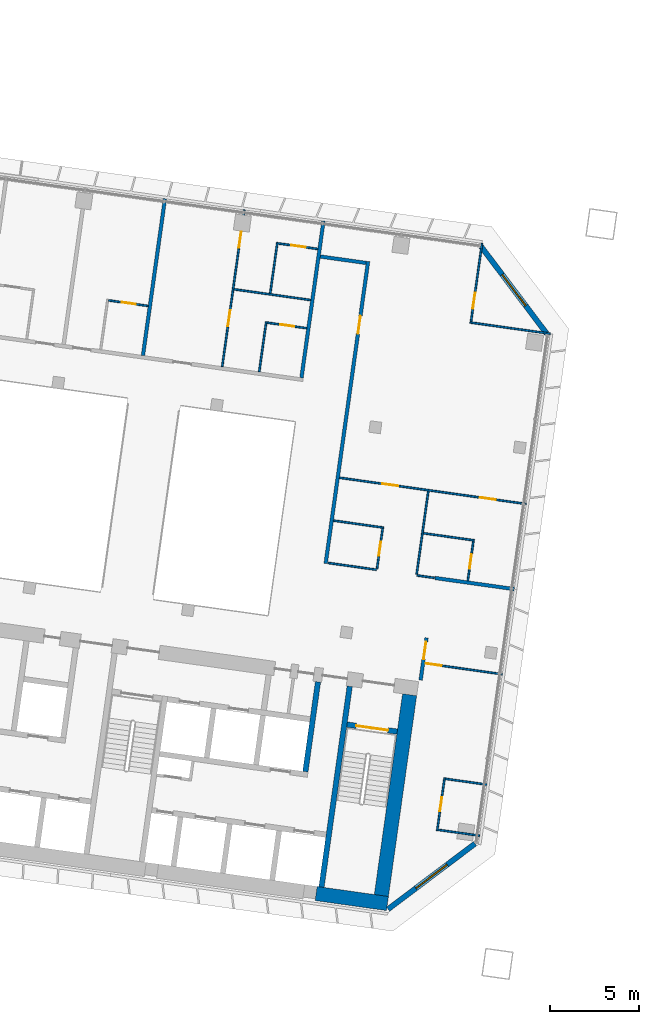
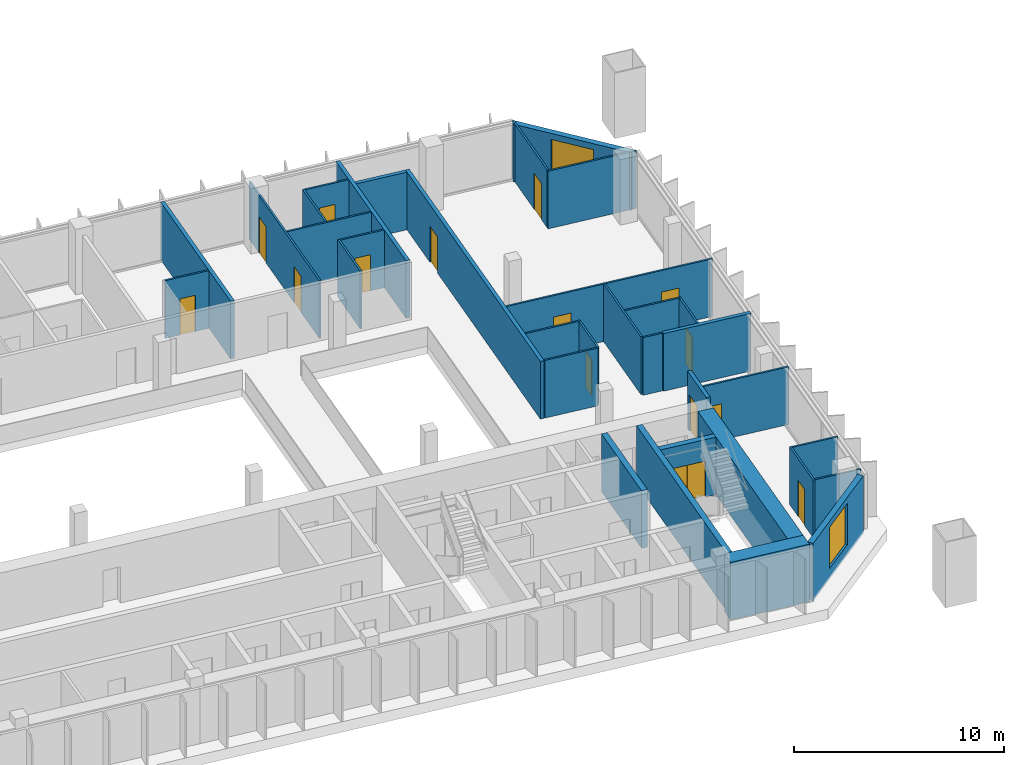
# One storey, part 17 of 26: 34 walls, 15 doors, 2 windows, 17 openings.
"""IFC4 building model written with IfcOpenShell, lengths in metres."""

from ifc_helpers import new_model, si_unit, direction, frame, frame_2d, origin, place, context, subcontext, project, spatial, rectangle, extrude, material, layer, layer_set, type_object, element, fill, save


model = new_model("IFC4")

# Units and contexts
model_context = context("Model", 3, precision=1e-05, world=origin(), true_north=direction((0.0, 1.0)))
body_context = subcontext(model_context, "Body", "Model", "MODEL_VIEW")
ifc_project = project(units=[si_unit("LENGTHUNIT", "METRE"), si_unit("AREAUNIT", "SQUARE_METRE"), si_unit("VOLUMEUNIT", "CUBIC_METRE"), si_unit("PLANEANGLEUNIT", "RADIAN"), si_unit("MASSUNIT", "GRAM", prefix="KILO")], contexts=[model_context])

# Site, building, storey
site_placement = place(None, origin())
site = spatial("IfcSite", under=ifc_project, at=site_placement, CompositionType="ELEMENT")
building_placement = place(site_placement, origin())
building = spatial("IfcBuilding", under=site, at=building_placement, Name="Mirante Cascada Hotel Towers", CompositionType="ELEMENT")
storey_placement = place(building_placement, frame((0.0, 0.0, 106.3)))
storey = spatial("IfcBuildingStorey", under=building, at=storey_placement, Name="L23", CompositionType="ELEMENT", Elevation=106.3)

# Walls
ifc_material_1 = material(Name="Fire-rated plasterboard on metal studs")
ifc_layer_1 = layer(ifc_material_1, 0.2)
ifc_layer_set_1 = layer_set([ifc_layer_1], Name="Compartment wall 200 EI 120")
wall_type_1 = type_object("IfcWallType", Name="Compartment wall 200 EI 120", PredefinedType="PARTITIONING", material=ifc_layer_set_1)
wall_1_placement = place(storey_placement, frame((-30.0, -2.0, 0.0), z_axis=(0.0, 0.0, 1.0), x_axis=(-0.9902674, 0.1391779, 0.0)))
element("IfcWall", 1, at=wall_1_placement, inside=storey, type_object=wall_type_1, Name="Wall 1-L23-08", PredefinedType="PARTITIONING", context=body_context, shape_type="SweptSolid", body=[
    extrude(rectangle(XDim=4.5, YDim=0.2, at=frame_2d((2.25, 0.0))), origin(), (0.0, 0.0, 1.0), 3.35),
])
wall_2_placement = place(storey_placement, frame((-38.329, 16.3376, 0.0), z_axis=(0.0, 0.0, 1.0), x_axis=(-0.9902647, 0.1391971, 0.0)))
element("IfcWall", 2, at=wall_2_placement, inside=storey, type_object=wall_type_1, Name="Wall 1-L23-28", PredefinedType="PARTITIONING", context=body_context, shape_type="SweptSolid", body=[
    extrude(rectangle(XDim=2.5999, YDim=0.2, at=frame_2d((1.3, 0.0))), origin(), (0.0, 0.0, 1.0), 3.35),
])

# Wall, opening, door
wall_3_placement = place(storey_placement, frame((-35.2634, -7.1173, 0.0), z_axis=(0.0, 0.0, 1.0), x_axis=(0.1391635, 0.9902694, 0.0)))
wall_3 = element("IfcWall", 3, at=wall_3_placement, inside=storey, type_object=wall_type_1, Name="Wall 1-L23-34", PredefinedType="PARTITIONING", context=body_context, shape_type="SweptSolid", body=[
    extrude(rectangle(XDim=2.4001, YDim=0.2, at=frame_2d((1.2, 0.0))), origin(), (0.0, 0.0, 1.0), 3.35),
])
opening_1_placement = place(wall_3_placement, frame((1.1833, 0.0, 0.0)))
opening_1 = element("IfcOpeningElement", 4, at=opening_1_placement, cuts=wall_3, Name="Opening D1-L23-28", PredefinedType="OPENING", context=body_context, shape_type="SweptSolid", body=[
    extrude(rectangle(XDim=1.0, YDim=2.1, at=frame_2d((0.5, 1.05))), frame((0.0, 0.1, 0.0), z_axis=(0.0, -1.0, 0.0), x_axis=(1.0, 0.0, 0.0)), (0.0, 0.0, 1.0), 0.2),
])
ifc_material_2 = material(Name="Fire-rated timber door leaf", Category="wood")
door_type_1 = type_object("IfcDoorType", Name="Entrance door DG1 1000x2100 EI 60", OperationType="SINGLE_SWING_LEFT", PredefinedType="DOOR", material=ifc_material_2)
door_1_placement = place(opening_1_placement, frame((1.0, 0.0, 0.0), z_axis=(0.0, 0.0, 1.0), x_axis=(-1.0, 0.0, 0.0)))
door_1 = element("IfcDoor", 5, at=door_1_placement, inside=storey, type_object=door_type_1, Name="Door D1-L23-28", OperationType="SINGLE_SWING_RIGHT", OverallHeight=2.1, OverallWidth=1.0, PredefinedType="DOOR", context=body_context, shape_type="SweptSolid", body=[
    extrude(rectangle(XDim=1.0, YDim=2.1, at=frame_2d((0.5, 1.05))), frame((0.0, 0.025, 0.0), z_axis=(0.0, -1.0, 0.0), x_axis=(1.0, 0.0, 0.0)), (0.0, 0.0, 1.0), 0.05),
])
fill(opening_1, door_1)

wall_4_placement = place(storey_placement, frame((-40.6028, -0.5604, 0.0), z_axis=(0.0, 0.0, 1.0), x_axis=(0.139172, 0.9902682, 0.0)))
wall_4 = element("IfcWall", 6, at=wall_4_placement, inside=storey, type_object=wall_type_1, Name="Wall 1-L23-38", PredefinedType="PARTITIONING", context=body_context, shape_type="SweptSolid", body=[
    extrude(rectangle(XDim=17.15, YDim=0.2, at=frame_2d((8.575, 0.0))), origin(), (0.0, 0.0, 1.0), 3.35),
])
opening_2_placement = place(wall_4_placement, frame((13.05, 0.0, 0.0)))
opening_2 = element("IfcOpeningElement", 7, at=opening_2_placement, cuts=wall_4, Name="Opening D1-L23-31", PredefinedType="OPENING", context=body_context, shape_type="SweptSolid", body=[
    extrude(rectangle(XDim=1.0, YDim=2.1, at=frame_2d((0.5, 1.05))), frame((0.0, 0.1, 0.0), z_axis=(0.0, -1.0, 0.0), x_axis=(1.0, 0.0, 0.0)), (0.0, 0.0, 1.0), 0.2),
])
door_2_placement = place(opening_2_placement, frame((1.0, 0.0, 0.0), z_axis=(0.0, 0.0, 1.0), x_axis=(-1.0, 0.0, 0.0)))
door_2 = element("IfcDoor", 8, at=door_2_placement, inside=storey, type_object=door_type_1, Name="Door D1-L23-31", OperationType="SINGLE_SWING_RIGHT", OverallHeight=2.1, OverallWidth=1.0, PredefinedType="DOOR", context=body_context, shape_type="SweptSolid", body=[
    extrude(rectangle(XDim=1.0, YDim=2.1, at=frame_2d((0.5, 1.05))), frame((0.0, 0.025, 0.0), z_axis=(0.0, -1.0, 0.0), x_axis=(1.0, 0.0, 0.0)), (0.0, 0.0, 1.0), 0.05),
])
fill(opening_2, door_2)

# Walls
for number, where, z_axis, x_axis, name in (
    (9, (-40.7243, 18.6939, 0.0), (0.0, 0.0, 1.0), (-0.1391794, -0.9902672, 0.0), "Wall 1-L23-39"),
    (10, (-49.6367, 19.9465, 0.0), (0.0, 0.0, 1.0), (-0.1391794, -0.9902672, 0.0), "Wall 1-L23-43"),
):
    element("IfcWall", number, at=place(storey_placement, frame(where, z_axis=z_axis, x_axis=x_axis)), inside=storey, type_object=wall_type_1, Name=name, PredefinedType="PARTITIONING", context=body_context, shape_type="SweptSolid", body=[
        extrude(rectangle(XDim=8.9, YDim=0.2, at=frame_2d((4.45, 0.0))), origin(), (0.0, 0.0, 1.0), 3.35),
    ])
ifc_material_3 = material(Name="Plasterboard on metal studs")
ifc_layer_2 = layer(ifc_material_3, 0.1)
ifc_layer_set_2 = layer_set([ifc_layer_2], Name="Partition 100")
wall_type_2 = type_object("IfcWallType", Name="Partition 100", PredefinedType="PARTITIONING", material=ifc_layer_set_2)
for number, where, z_axis, x_axis, name in (
    (11, (-31.9484, -15.8638, 0.0), (0.0, 0.0, 1.0), (-0.9902661, 0.139187, 0.0), "Wall 1-L23-02"),
    (12, (-33.872, -12.6649, 0.0), (0.0, 0.0, 1.0), (0.9902661, -0.139187, 0.0), "Wall 1-L23-03"),
):
    element("IfcWall", number, at=place(storey_placement, frame(where, z_axis=z_axis, x_axis=x_axis)), inside=storey, type_object=wall_type_2, Name=name, PredefinedType="PARTITIONING", context=body_context, shape_type="SweptSolid", body=[
        extrude(rectangle(XDim=2.3501, YDim=0.1, at=frame_2d((1.175, 0.0))), origin(), (0.0, 0.0, 1.0), 3.35),
    ])

# Wall, opening, door
wall_5_placement = place(storey_placement, frame((-30.6727, -6.7863, 0.0), z_axis=(0.0, 0.0, 1.0), x_axis=(-0.9902665, 0.1391841, 0.0)))
wall_5 = element("IfcWall", 13, at=wall_5_placement, inside=storey, type_object=wall_type_2, Name="Wall 1-L23-04", PredefinedType="PARTITIONING", context=body_context, shape_type="SweptSolid", body=[
    extrude(rectangle(XDim=4.3999, YDim=0.1, at=frame_2d((2.2, 0.0))), origin(), (0.0, 0.0, 1.0), 3.35),
])
opening_3_placement = place(wall_5_placement, frame((3.45, 0.0, 0.0)))
opening_3 = element("IfcOpeningElement", 14, at=opening_3_placement, cuts=wall_5, Name="Opening D1-L23-02", PredefinedType="OPENING", context=body_context, shape_type="SweptSolid", body=[
    extrude(rectangle(XDim=0.9, YDim=2.1, at=frame_2d((0.45, 1.05))), frame((0.0, 0.05, 0.0), z_axis=(0.0, -1.0, 0.0), x_axis=(1.0, 0.0, 0.0)), (0.0, 0.0, 1.0), 0.1),
])
ifc_material_4 = material(Name="Timber door leaf", Category="wood")
door_type_2 = type_object("IfcDoorType", Name="Room door DG3 900x2100", OperationType="SINGLE_SWING_LEFT", PredefinedType="DOOR", material=ifc_material_4)
door_3_placement = place(opening_3_placement, origin())
door_3 = element("IfcDoor", 15, at=door_3_placement, inside=storey, type_object=door_type_2, Name="Door D1-L23-02", OperationType="SINGLE_SWING_LEFT", OverallHeight=2.1, OverallWidth=0.9, PredefinedType="DOOR", context=body_context, shape_type="SweptSolid", body=[
    extrude(rectangle(XDim=0.9, YDim=2.1, at=frame_2d((0.45, 1.05))), frame((0.0, 0.025, 0.0), z_axis=(0.0, -1.0, 0.0), x_axis=(1.0, 0.0, 0.0)), (0.0, 0.0, 1.0), 0.05),
])
fill(opening_3, door_3)

# Walls
wall_6_placement = place(storey_placement, frame((-35.4663, -1.2318, 0.0), z_axis=(0.0, 0.0, 1.0), x_axis=(0.9902801, -0.1390877, 0.0)))
element("IfcWall", 16, at=wall_6_placement, inside=storey, type_object=wall_type_2, Name="Wall 1-L23-09", PredefinedType="PARTITIONING", context=body_context, shape_type="SweptSolid", body=[
    extrude(rectangle(XDim=0.99, YDim=0.1, at=frame_2d((0.495, 0.0))), origin(), (0.0, 0.0, 1.0), 3.35),
])
wall_7_placement = place(storey_placement, frame((-37.7538, -0.9103, 0.0), z_axis=(0.0, 0.0, 1.0), x_axis=(-0.9902645, 0.1391984, 0.0)))
element("IfcWall", 17, at=wall_7_placement, inside=storey, type_object=wall_type_2, Name="Wall 1-L23-10", PredefinedType="PARTITIONING", context=body_context, shape_type="SweptSolid", body=[
    extrude(rectangle(XDim=2.74, YDim=0.1, at=frame_2d((1.37, 0.0))), origin(), (0.0, 0.0, 1.0), 3.35),
])
wall_8_placement = place(storey_placement, frame((-32.2407, 0.7385, 0.0), z_axis=(0.0, 0.0, 1.0), x_axis=(-0.9902683, 0.1391714, 0.0)))
element("IfcWall", 18, at=wall_8_placement, inside=storey, type_object=wall_type_2, Name="Wall 1-L23-12", PredefinedType="PARTITIONING", context=body_context, shape_type="SweptSolid", body=[
    extrude(rectangle(XDim=2.9, YDim=0.1, at=frame_2d((1.45, 0.0))), origin(), (0.0, 0.0, 1.0), 3.35),
])
wall_9_placement = place(storey_placement, frame((-40.1628, 1.8519, 0.0), z_axis=(0.0, 0.0, 1.0), x_axis=(0.9902649, -0.1391957, 0.0)))
element("IfcWall", 19, at=wall_9_placement, inside=storey, type_object=wall_type_2, Name="Wall 1-L23-13", PredefinedType="PARTITIONING", context=body_context, shape_type="SweptSolid", body=[
    extrude(rectangle(XDim=2.8499, YDim=0.1, at=frame_2d((1.425, 0.0))), origin(), (0.0, 0.0, 1.0), 3.35),
])

# Wall, openings, doors
wall_10_placement = place(storey_placement, frame((-29.3273, 2.7863, 0.0), z_axis=(0.0, 0.0, 1.0), x_axis=(-0.9902686, 0.1391691, 0.0)))
wall_10 = element("IfcWall", 20, at=wall_10_placement, inside=storey, type_object=wall_type_2, Name="Wall 1-L23-16", PredefinedType="PARTITIONING", context=body_context, shape_type="SweptSolid", body=[
    extrude(rectangle(XDim=10.6001, YDim=0.1, at=frame_2d((5.3, 0.0))), origin(), (0.0, 0.0, 1.0), 3.35),
])
opening_4_placement = place(wall_10_placement, frame((1.725, 0.0, 0.0)))
opening_4 = element("IfcOpeningElement", 21, at=opening_4_placement, cuts=wall_10, Name="Opening D1-L23-05", PredefinedType="OPENING", context=body_context, shape_type="SweptSolid", body=[
    extrude(rectangle(XDim=0.9, YDim=2.1, at=frame_2d((0.45, 1.05))), frame((0.0, 0.05, 0.0), z_axis=(0.0, -1.0, 0.0), x_axis=(1.0, 0.0, 0.0)), (0.0, 0.0, 1.0), 0.1),
])
opening_5_placement = place(wall_10_placement, frame((7.275, 0.0, 0.0)))
opening_5 = element("IfcOpeningElement", 22, at=opening_5_placement, cuts=wall_10, Name="Opening D1-L23-06", PredefinedType="OPENING", context=body_context, shape_type="SweptSolid", body=[
    extrude(rectangle(XDim=0.9, YDim=2.1, at=frame_2d((0.45, 1.05))), frame((0.0, 0.05, 0.0), z_axis=(0.0, -1.0, 0.0), x_axis=(1.0, 0.0, 0.0)), (0.0, 0.0, 1.0), 0.1),
])
door_4_placement = place(opening_4_placement, frame((0.9, 0.0, 0.0), z_axis=(0.0, 0.0, 1.0), x_axis=(-1.0, 0.0, 0.0)))
door_4 = element("IfcDoor", 23, at=door_4_placement, inside=storey, type_object=door_type_2, Name="Door D1-L23-05", OperationType="SINGLE_SWING_RIGHT", OverallHeight=2.1, OverallWidth=0.9, PredefinedType="DOOR", context=body_context, shape_type="SweptSolid", body=[
    extrude(rectangle(XDim=0.9, YDim=2.1, at=frame_2d((0.45, 1.05))), frame((0.0, 0.025, 0.0), z_axis=(0.0, -1.0, 0.0), x_axis=(1.0, 0.0, 0.0)), (0.0, 0.0, 1.0), 0.05),
])
fill(opening_4, door_4)
door_5_placement = place(opening_5_placement, frame((0.9, 0.0, 0.0), z_axis=(0.0, 0.0, 1.0), x_axis=(-1.0, 0.0, 0.0)))
door_5 = element("IfcDoor", 24, at=door_5_placement, inside=storey, type_object=door_type_2, Name="Door D1-L23-06", OperationType="SINGLE_SWING_RIGHT", OverallHeight=2.1, OverallWidth=0.9, PredefinedType="DOOR", context=body_context, shape_type="SweptSolid", body=[
    extrude(rectangle(XDim=0.9, YDim=2.1, at=frame_2d((0.45, 1.05))), frame((0.0, 0.025, 0.0), z_axis=(0.0, -1.0, 0.0), x_axis=(1.0, 0.0, 0.0)), (0.0, 0.0, 1.0), 0.05),
])
fill(opening_5, door_5)

# Wall, opening, door
wall_11_placement = place(storey_placement, frame((-43.9004, 12.9804, 0.0), z_axis=(0.0, 0.0, 1.0), x_axis=(0.9902643, -0.1391997, 0.0)))
wall_11 = element("IfcWall", 25, at=wall_11_placement, inside=storey, type_object=wall_type_2, Name="Wall 1-L23-19", PredefinedType="PARTITIONING", context=body_context, shape_type="SweptSolid", body=[
    extrude(rectangle(XDim=2.25, YDim=0.1, at=frame_2d((1.125, 0.0))), origin(), (0.0, 0.0, 1.0), 3.35),
])
opening_6_placement = place(wall_11_placement, frame((0.75, 0.0, 0.0)))
opening_6 = element("IfcOpeningElement", 26, at=opening_6_placement, cuts=wall_11, Name="Opening D1-L23-16", PredefinedType="OPENING", context=body_context, shape_type="SweptSolid", body=[
    extrude(rectangle(XDim=0.8, YDim=2.1, at=frame_2d((0.4, 1.05))), frame((0.0, 0.05, 0.0), z_axis=(0.0, -1.0, 0.0), x_axis=(1.0, 0.0, 0.0)), (0.0, 0.0, 1.0), 0.1),
])
ifc_material_5 = material(Name="Timber door leaf", Category="wood")
door_type_3 = type_object("IfcDoorType", Name="Bathroom door DG4 800x2100", OperationType="SINGLE_SWING_LEFT", PredefinedType="DOOR", material=ifc_material_5)
door_6_placement = place(opening_6_placement, frame((0.8, 0.0, 0.0), z_axis=(0.0, 0.0, 1.0), x_axis=(-1.0, 0.0, 0.0)))
door_6 = element("IfcDoor", 27, at=door_6_placement, inside=storey, type_object=door_type_3, Name="Door D1-L23-16", OperationType="SINGLE_SWING_RIGHT", OverallHeight=2.1, OverallWidth=0.8, PredefinedType="DOOR", context=body_context, shape_type="SweptSolid", body=[
    extrude(rectangle(XDim=0.8, YDim=2.1, at=frame_2d((0.4, 1.05))), frame((0.0, 0.025, 0.0), z_axis=(0.0, -1.0, 0.0), x_axis=(1.0, 0.0, 0.0)), (0.0, 0.0, 1.0), 0.05),
])
fill(opening_6, door_6)

wall_12_placement = place(storey_placement, frame((-50.5847, 13.9198, 0.0), z_axis=(0.0, 0.0, 1.0), x_axis=(-0.9902705, 0.1391561, 0.0)))
wall_12 = element("IfcWall", 28, at=wall_12_placement, inside=storey, type_object=wall_type_2, Name="Wall 1-L23-20", PredefinedType="PARTITIONING", context=body_context, shape_type="SweptSolid", body=[
    extrude(rectangle(XDim=2.25, YDim=0.1, at=frame_2d((1.125, 0.0))), origin(), (0.0, 0.0, 1.0), 3.35),
])
opening_7_placement = place(wall_12_placement, frame((0.7, 0.0, 0.0)))
opening_7 = element("IfcOpeningElement", 29, at=opening_7_placement, cuts=wall_12, Name="Opening D1-L23-17", PredefinedType="OPENING", context=body_context, shape_type="SweptSolid", body=[
    extrude(rectangle(XDim=0.8, YDim=2.1, at=frame_2d((0.4, 1.05))), frame((0.0, 0.05, 0.0), z_axis=(0.0, -1.0, 0.0), x_axis=(1.0, 0.0, 0.0)), (0.0, 0.0, 1.0), 0.1),
])
door_7_placement = place(opening_7_placement, frame((0.8, 0.0, 0.0), z_axis=(0.0, 0.0, 1.0), x_axis=(-1.0, 0.0, 0.0)))
door_7 = element("IfcDoor", 30, at=door_7_placement, inside=storey, type_object=door_type_3, Name="Door D1-L23-17", OperationType="SINGLE_SWING_RIGHT", OverallHeight=2.1, OverallWidth=0.8, PredefinedType="DOOR", context=body_context, shape_type="SweptSolid", body=[
    extrude(rectangle(XDim=0.8, YDim=2.1, at=frame_2d((0.4, 1.05))), frame((0.0, 0.025, 0.0), z_axis=(0.0, -1.0, 0.0), x_axis=(1.0, 0.0, 0.0)), (0.0, 0.0, 1.0), 0.05),
])
fill(opening_7, door_7)

# Walls
wall_13_placement = place(storey_placement, frame((-32.4877, 12.9921, 0.0), z_axis=(0.0, 0.0, 1.0), x_axis=(0.9902691, -0.1391656, 0.0)))
element("IfcWall", 31, at=wall_13_placement, inside=storey, type_object=wall_type_2, Name="Wall 1-L23-25", PredefinedType="PARTITIONING", context=body_context, shape_type="SweptSolid", body=[
    extrude(rectangle(XDim=4.55, YDim=0.1, at=frame_2d((2.275, 0.0))), origin(), (0.0, 0.0, 1.0), 3.35),
])
wall_14_placement = place(storey_placement, frame((-41.4496, 14.2516, 0.0), z_axis=(0.0, 0.0, 1.0), x_axis=(-0.9902683, 0.1391714, 0.0)))
element("IfcWall", 32, at=wall_14_placement, inside=storey, type_object=wall_type_2, Name="Wall 1-L23-26", PredefinedType="PARTITIONING", context=body_context, shape_type="SweptSolid", body=[
    extrude(rectangle(XDim=4.35, YDim=0.1, at=frame_2d((2.175, 0.0))), origin(), (0.0, 0.0, 1.0), 3.35),
])

# Wall, opening, door
wall_15_placement = place(storey_placement, frame((-41.046, 17.1234, 0.0), z_axis=(0.0, 0.0, 1.0), x_axis=(-0.9902643, 0.1391997, 0.0)))
wall_15 = element("IfcWall", 33, at=wall_15_placement, inside=storey, type_object=wall_type_2, Name="Wall 1-L23-30", PredefinedType="PARTITIONING", context=body_context, shape_type="SweptSolid", body=[
    extrude(rectangle(XDim=2.25, YDim=0.1, at=frame_2d((1.125, 0.0))), origin(), (0.0, 0.0, 1.0), 3.35),
])
opening_8_placement = place(wall_15_placement, frame((0.7, 0.0, 0.0)))
opening_8 = element("IfcOpeningElement", 34, at=opening_8_placement, cuts=wall_15, Name="Opening D1-L23-24", PredefinedType="OPENING", context=body_context, shape_type="SweptSolid", body=[
    extrude(rectangle(XDim=0.8, YDim=2.1, at=frame_2d((0.4, 1.05))), frame((0.0, 0.05, 0.0), z_axis=(0.0, -1.0, 0.0), x_axis=(1.0, 0.0, 0.0)), (0.0, 0.0, 1.0), 0.1),
])
door_8_placement = place(opening_8_placement, origin())
door_8 = element("IfcDoor", 35, at=door_8_placement, inside=storey, type_object=door_type_3, Name="Door D1-L23-24", OperationType="SINGLE_SWING_LEFT", OverallHeight=2.1, OverallWidth=0.8, PredefinedType="DOOR", context=body_context, shape_type="SweptSolid", body=[
    extrude(rectangle(XDim=0.8, YDim=2.1, at=frame_2d((0.4, 1.05))), frame((0.0, 0.025, 0.0), z_axis=(0.0, -1.0, 0.0), x_axis=(1.0, 0.0, 0.0)), (0.0, 0.0, 1.0), 0.05),
])
fill(opening_8, door_8)

wall_16_placement = place(storey_placement, frame((-34.332, -15.5793, 0.0), z_axis=(0.0, 0.0, 1.0), x_axis=(0.1391624, 0.9902696, 0.0)))
wall_16 = element("IfcWall", 36, at=wall_16_placement, inside=storey, type_object=wall_type_2, Name="Wall 1-L23-32", PredefinedType="PARTITIONING", context=body_context, shape_type="SweptSolid", body=[
    extrude(rectangle(XDim=3.0001, YDim=0.1, at=frame_2d((1.5001, 0.0))), origin(), (0.0, 0.0, 1.0), 3.35),
])
opening_9_placement = place(wall_16_placement, frame((1.1, 0.0, 0.0)))
opening_9 = element("IfcOpeningElement", 37, at=opening_9_placement, cuts=wall_16, Name="Opening D1-L23-26", PredefinedType="OPENING", context=body_context, shape_type="SweptSolid", body=[
    extrude(rectangle(XDim=0.8, YDim=2.1, at=frame_2d((0.4, 1.05))), frame((0.0, 0.05, 0.0), z_axis=(0.0, -1.0, 0.0), x_axis=(1.0, 0.0, 0.0)), (0.0, 0.0, 1.0), 0.1),
])
door_9_placement = place(opening_9_placement, origin())
door_9 = element("IfcDoor", 38, at=door_9_placement, inside=storey, type_object=door_type_3, Name="Door D1-L23-26", OperationType="SINGLE_SWING_LEFT", OverallHeight=2.1, OverallWidth=0.8, PredefinedType="DOOR", context=body_context, shape_type="SweptSolid", body=[
    extrude(rectangle(XDim=0.8, YDim=2.1, at=frame_2d((0.4, 1.05))), frame((0.0, 0.025, 0.0), z_axis=(0.0, -1.0, 0.0), x_axis=(1.0, 0.0, 0.0)), (0.0, 0.0, 1.0), 0.05),
])
fill(opening_9, door_9)

wall_17_placement = place(storey_placement, frame((-32.2972, 0.6959, 0.0), z_axis=(0.0, 0.0, 1.0), x_axis=(-0.1391561, -0.9902705, 0.0)))
wall_17 = element("IfcWall", 39, at=wall_17_placement, inside=storey, type_object=wall_type_2, Name="Wall 1-L23-33", PredefinedType="PARTITIONING", context=body_context, shape_type="SweptSolid", body=[
    extrude(rectangle(XDim=2.25, YDim=0.1, at=frame_2d((1.125, 0.0))), origin(), (0.0, 0.0, 1.0), 3.35),
])
opening_10_placement = place(wall_17_placement, frame((0.75, 0.0, 0.0)))
opening_10 = element("IfcOpeningElement", 40, at=opening_10_placement, cuts=wall_17, Name="Opening D1-L23-27", PredefinedType="OPENING", context=body_context, shape_type="SweptSolid", body=[
    extrude(rectangle(XDim=0.8, YDim=2.1, at=frame_2d((0.4, 1.05))), frame((0.0, 0.05, 0.0), z_axis=(0.0, -1.0, 0.0), x_axis=(1.0, 0.0, 0.0)), (0.0, 0.0, 1.0), 0.1),
])
door_10_placement = place(opening_10_placement, frame((0.8, 0.0, 0.0), z_axis=(0.0, 0.0, 1.0), x_axis=(-1.0, 0.0, 0.0)))
door_10 = element("IfcDoor", 41, at=door_10_placement, inside=storey, type_object=door_type_3, Name="Door D1-L23-27", OperationType="SINGLE_SWING_RIGHT", OverallHeight=2.1, OverallWidth=0.8, PredefinedType="DOOR", context=body_context, shape_type="SweptSolid", body=[
    extrude(rectangle(XDim=0.8, YDim=2.1, at=frame_2d((0.4, 1.05))), frame((0.0, 0.025, 0.0), z_axis=(0.0, -1.0, 0.0), x_axis=(1.0, 0.0, 0.0)), (0.0, 0.0, 1.0), 0.05),
])
fill(opening_10, door_10)

wall_18_placement = place(storey_placement, frame((-31.8119, 17.4414, 0.0), z_axis=(0.0, 0.0, 1.0), x_axis=(-0.1391684, -0.9902687, 0.0)))
wall_18 = element("IfcWall", 42, at=wall_18_placement, inside=storey, type_object=wall_type_2, Name="Wall 1-L23-35", PredefinedType="PARTITIONING", context=body_context, shape_type="SweptSolid", body=[
    extrude(rectangle(XDim=4.45, YDim=0.1, at=frame_2d((2.225, 0.0))), origin(), (0.0, 0.0, 1.0), 3.35),
])
opening_11_placement = place(wall_18_placement, frame((2.8, 0.0, 0.0)))
opening_11 = element("IfcOpeningElement", 43, at=opening_11_placement, cuts=wall_18, Name="Opening D1-L23-29", PredefinedType="OPENING", context=body_context, shape_type="SweptSolid", body=[
    extrude(rectangle(XDim=0.9, YDim=2.1, at=frame_2d((0.45, 1.05))), frame((0.0, 0.05, 0.0), z_axis=(0.0, -1.0, 0.0), x_axis=(1.0, 0.0, 0.0)), (0.0, 0.0, 1.0), 0.1),
])
door_11_placement = place(opening_11_placement, frame((0.9, 0.0, 0.0), z_axis=(0.0, 0.0, 1.0), x_axis=(-1.0, 0.0, 0.0)))
door_11 = element("IfcDoor", 44, at=door_11_placement, inside=storey, type_object=door_type_2, Name="Door D1-L23-29", OperationType="SINGLE_SWING_RIGHT", OverallHeight=2.1, OverallWidth=0.9, PredefinedType="DOOR", context=body_context, shape_type="SweptSolid", body=[
    extrude(rectangle(XDim=0.9, YDim=2.1, at=frame_2d((0.45, 1.05))), frame((0.0, 0.025, 0.0), z_axis=(0.0, -1.0, 0.0), x_axis=(1.0, 0.0, 0.0)), (0.0, 0.0, 1.0), 0.05),
])
fill(opening_11, door_11)

# Wall
wall_19_placement = place(storey_placement, frame((-35.489, -1.1781, 0.0), z_axis=(0.0, 0.0, 1.0), x_axis=(0.1391613, 0.9902697, 0.0)))
element("IfcWall", 45, at=wall_19_placement, inside=storey, type_object=wall_type_2, Name="Wall 1-L23-36", PredefinedType="PARTITIONING", context=body_context, shape_type="SweptSolid", body=[
    extrude(rectangle(XDim=4.7334, YDim=0.1, at=frame_2d((2.3667, 0.0))), origin(), (0.0, 0.0, 1.0), 3.35),
])

# Wall, opening, door
wall_20_placement = place(storey_placement, frame((-37.397, 1.4127, 0.0), z_axis=(0.0, 0.0, 1.0), x_axis=(-0.1391749, -0.9902678, 0.0)))
wall_20 = element("IfcWall", 46, at=wall_20_placement, inside=storey, type_object=wall_type_2, Name="Wall 1-L23-37", PredefinedType="PARTITIONING", context=body_context, shape_type="SweptSolid", body=[
    extrude(rectangle(XDim=2.3, YDim=0.1, at=frame_2d((1.15, 0.0))), origin(), (0.0, 0.0, 1.0), 3.35),
])
opening_12_placement = place(wall_20_placement, frame((0.75, 0.0, 0.0)))
opening_12 = element("IfcOpeningElement", 47, at=opening_12_placement, cuts=wall_20, Name="Opening D1-L23-30", PredefinedType="OPENING", context=body_context, shape_type="SweptSolid", body=[
    extrude(rectangle(XDim=0.8, YDim=2.1, at=frame_2d((0.4, 1.05))), frame((0.0, 0.05, 0.0), z_axis=(0.0, -1.0, 0.0), x_axis=(1.0, 0.0, 0.0)), (0.0, 0.0, 1.0), 0.1),
])
door_12_placement = place(opening_12_placement, frame((0.8, 0.0, 0.0), z_axis=(0.0, 0.0, 1.0), x_axis=(-1.0, 0.0, 0.0)))
door_12 = element("IfcDoor", 48, at=door_12_placement, inside=storey, type_object=door_type_3, Name="Door D1-L23-30", OperationType="SINGLE_SWING_RIGHT", OverallHeight=2.1, OverallWidth=0.8, PredefinedType="DOOR", context=body_context, shape_type="SweptSolid", body=[
    extrude(rectangle(XDim=0.8, YDim=2.1, at=frame_2d((0.4, 1.05))), frame((0.0, 0.025, 0.0), z_axis=(0.0, -1.0, 0.0), x_axis=(1.0, 0.0, 0.0)), (0.0, 0.0, 1.0), 0.05),
])
fill(opening_12, door_12)

# Walls
wall_21_placement = place(storey_placement, frame((-44.3396, 10.2146, 0.0), z_axis=(0.0, 0.0, 1.0), x_axis=(0.1391613, 0.9902697, 0.0)))
element("IfcWall", 49, at=wall_21_placement, inside=storey, type_object=wall_type_2, Name="Wall 1-L23-40", PredefinedType="PARTITIONING", context=body_context, shape_type="SweptSolid", body=[
    extrude(rectangle(XDim=2.8499, YDim=0.1, at=frame_2d((1.425, 0.0))), origin(), (0.0, 0.0, 1.0), 3.35),
])
wall_22_placement = place(storey_placement, frame((-43.3167, 17.493, 0.0), z_axis=(0.0, 0.0, 1.0), x_axis=(-0.1391761, -0.9902676, 0.0)))
element("IfcWall", 50, at=wall_22_placement, inside=storey, type_object=wall_type_2, Name="Wall 1-L23-41", PredefinedType="PARTITIONING", context=body_context, shape_type="SweptSolid", body=[
    extrude(rectangle(XDim=2.8999, YDim=0.1, at=frame_2d((1.45, 0.0))), origin(), (0.0, 0.0, 1.0), 3.35),
])

# Wall, openings, doors
wall_23_placement = place(storey_placement, frame((-46.4192, 10.5068, 0.0), z_axis=(0.0, 0.0, 1.0), x_axis=(0.1391794, 0.9902672, 0.0)))
wall_23 = element("IfcWall", 51, at=wall_23_placement, inside=storey, type_object=wall_type_2, Name="Wall 1-L23-42", PredefinedType="PARTITIONING", context=body_context, shape_type="SweptSolid", body=[
    extrude(rectangle(XDim=8.9, YDim=0.1, at=frame_2d((4.45, 0.0))), origin(), (0.0, 0.0, 1.0), 3.35),
])
opening_13_placement = place(wall_23_placement, frame((2.3, 0.0, 0.0)))
opening_13 = element("IfcOpeningElement", 52, at=opening_13_placement, cuts=wall_23, Name="Opening D1-L23-32", PredefinedType="OPENING", context=body_context, shape_type="SweptSolid", body=[
    extrude(rectangle(XDim=0.9, YDim=2.1, at=frame_2d((0.45, 1.05))), frame((0.0, 0.05, 0.0), z_axis=(0.0, -1.0, 0.0), x_axis=(1.0, 0.0, 0.0)), (0.0, 0.0, 1.0), 0.1),
])
opening_14_placement = place(wall_23_placement, frame((6.75, 0.0, 0.0)))
opening_14 = element("IfcOpeningElement", 53, at=opening_14_placement, cuts=wall_23, Name="Opening D1-L23-33", PredefinedType="OPENING", context=body_context, shape_type="SweptSolid", body=[
    extrude(rectangle(XDim=0.9, YDim=2.1, at=frame_2d((0.45, 1.05))), frame((0.0, 0.05, 0.0), z_axis=(0.0, -1.0, 0.0), x_axis=(1.0, 0.0, 0.0)), (0.0, 0.0, 1.0), 0.1),
])
door_13_placement = place(opening_13_placement, origin())
door_13 = element("IfcDoor", 54, at=door_13_placement, inside=storey, type_object=door_type_2, Name="Door D1-L23-32", OperationType="SINGLE_SWING_LEFT", OverallHeight=2.1, OverallWidth=0.9, PredefinedType="DOOR", context=body_context, shape_type="SweptSolid", body=[
    extrude(rectangle(XDim=0.9, YDim=2.1, at=frame_2d((0.45, 1.05))), frame((0.0, 0.025, 0.0), z_axis=(0.0, -1.0, 0.0), x_axis=(1.0, 0.0, 0.0)), (0.0, 0.0, 1.0), 0.05),
])
fill(opening_13, door_13)
door_14_placement = place(opening_14_placement, origin())
door_14 = element("IfcDoor", 55, at=door_14_placement, inside=storey, type_object=door_type_2, Name="Door D1-L23-33", OperationType="SINGLE_SWING_LEFT", OverallHeight=2.1, OverallWidth=0.9, PredefinedType="DOOR", context=body_context, shape_type="SweptSolid", body=[
    extrude(rectangle(XDim=0.9, YDim=2.1, at=frame_2d((0.45, 1.05))), frame((0.0, 0.025, 0.0), z_axis=(0.0, -1.0, 0.0), x_axis=(1.0, 0.0, 0.0)), (0.0, 0.0, 1.0), 0.05),
])
fill(opening_14, door_14)

# Wall, opening, window
ifc_material_6 = material(Name="Precast concrete C40/50", Category="concrete")
ifc_layer_3 = layer(ifc_material_6, 0.3)
ifc_layer_set_3 = layer_set([ifc_layer_3], Name="Precast concrete C40/50 cladding wall 300")
wall_type_3 = type_object("IfcWallType", Name="Precast concrete C40/50 cladding wall 300", PredefinedType="STANDARD", material=ifc_layer_set_3)
wall_24_placement = place(storey_placement, frame((-31.857, 17.252, 0.0), z_axis=(0.0, 0.0, 1.0), x_axis=(0.6018141, -0.7986362, 0.0)))
wall_24 = element("IfcWall", 56, at=wall_24_placement, inside=storey, type_object=wall_type_3, Name="Corner cladding wall T1 L23 front inner", PredefinedType="STANDARD", context=body_context, shape_type="SweptSolid", body=[
    extrude(rectangle(XDim=6.1157, YDim=0.3, at=frame_2d((3.0578, 0.0))), origin(), (0.0, 0.0, 1.0), 3.35),
])
opening_15_placement = place(wall_24_placement, frame((1.9578, 0.0, 0.6)))
opening_15 = element("IfcOpeningElement", 57, at=opening_15_placement, cuts=wall_24, Name="Opening W1-23-05", PredefinedType="OPENING", context=body_context, shape_type="SweptSolid", body=[
    extrude(rectangle(XDim=2.2, YDim=2.4, at=frame_2d((1.1, 1.2))), frame((0.0, 0.15, 0.0), z_axis=(0.0, -1.0, 0.0), x_axis=(1.0, 0.0, 0.0)), (0.0, 0.0, 1.0), 0.3),
])
ifc_material_7 = material(Name="Aluminium frame with clear double glazing", Category="aluminium")
window_type = type_object("IfcWindowType", Name="Corner suite window 2200x2400", PartitioningType="DOUBLE_PANEL_VERTICAL", PredefinedType="WINDOW", material=ifc_material_7)
window_1_placement = place(opening_15_placement, origin())
window_1 = element("IfcWindow", 58, at=window_1_placement, inside=storey, type_object=window_type, Name="Window W1-23-05", OverallHeight=2.4, OverallWidth=2.2, PartitioningType="SINGLE_PANEL", PredefinedType="WINDOW", context=body_context, shape_type="SweptSolid", body=[
    extrude(rectangle(XDim=2.2, YDim=2.4, at=frame_2d((1.1, 1.2))), frame((0.0, 0.03, 0.0), z_axis=(0.0, -1.0, 0.0), x_axis=(1.0, 0.0, 0.0)), (0.0, 0.0, 1.0), 0.06),
])
fill(opening_15, window_1)

wall_25_placement = place(storey_placement, frame((-32.2074, -16.3138, 0.0), z_axis=(0.0, 0.0, 1.0), x_axis=(-0.7986362, -0.6018141, 0.0)))
wall_25 = element("IfcWall", 59, at=wall_25_placement, inside=storey, type_object=wall_type_3, Name="Corner cladding wall T1 L23 inner rear", PredefinedType="STANDARD", context=body_context, shape_type="SweptSolid", body=[
    extrude(rectangle(XDim=6.1157, YDim=0.3, at=frame_2d((3.0578, 0.0))), origin(), (0.0, 0.0, 1.0), 3.35),
])
opening_16_placement = place(wall_25_placement, frame((1.9578, 0.0, 0.6)))
opening_16 = element("IfcOpeningElement", 60, at=opening_16_placement, cuts=wall_25, Name="Opening W1-23-06", PredefinedType="OPENING", context=body_context, shape_type="SweptSolid", body=[
    extrude(rectangle(XDim=2.2, YDim=2.4, at=frame_2d((1.1, 1.2))), frame((0.0, 0.15, 0.0), z_axis=(0.0, -1.0, 0.0), x_axis=(1.0, 0.0, 0.0)), (0.0, 0.0, 1.0), 0.3),
])
window_2_placement = place(opening_16_placement, origin())
window_2 = element("IfcWindow", 61, at=window_2_placement, inside=storey, type_object=window_type, Name="Window W1-23-06", OverallHeight=2.4, OverallWidth=2.2, PartitioningType="SINGLE_PANEL", PredefinedType="WINDOW", context=body_context, shape_type="SweptSolid", body=[
    extrude(rectangle(XDim=2.2, YDim=2.4, at=frame_2d((1.1, 1.2))), frame((0.0, 0.03, 0.0), z_axis=(0.0, -1.0, 0.0), x_axis=(1.0, 0.0, 0.0)), (0.0, 0.0, 1.0), 0.06),
])
fill(opening_16, window_2)

# Wall
ifc_material_8 = material(Name="Concrete C50/60", Category="concrete")
ifc_layer_4 = layer(ifc_material_8, 0.3)
ifc_layer_set_4 = layer_set([ifc_layer_4], Name="RC core wall 300 C50/60")
wall_type_4 = type_object("IfcWallType", Name="RC core wall 300 C50/60", PredefinedType="SHEAR", material=ifc_layer_set_4)
wall_26_placement = place(storey_placement, frame((-40.8373, -18.7548, 0.0), z_axis=(0.0, 0.0, 1.0), x_axis=(0.1391749, 0.9902678, 0.0)))
element("IfcWall", 62, at=wall_26_placement, inside=storey, type_object=wall_type_4, Name="Core wall T1:L23:5", PredefinedType="SHEAR", context=body_context, shape_type="SweptSolid", body=[
    extrude(rectangle(XDim=11.4, YDim=0.3, at=frame_2d((5.7, 0.0))), origin(), (0.0, 0.0, 1.0), 3.35),
])

# Wall, opening, door
wall_27_placement = place(storey_placement, frame((-36.5791, -10.0123, 0.0), z_axis=(0.0, 0.0, 1.0), x_axis=(-0.9902704, 0.1391564, 0.0)))
wall_27 = element("IfcWall", 63, at=wall_27_placement, inside=storey, type_object=wall_type_4, Name="Core wall T1:L23:9", PredefinedType="SHEAR", context=body_context, shape_type="SweptSolid", body=[
    extrude(rectangle(XDim=2.85, YDim=0.3, at=frame_2d((1.425, 0.0))), origin(), (0.0, 0.0, 1.0), 3.35),
])
opening_17_placement = place(wall_27_placement, frame((0.525, 0.0, 0.0)))
opening_17 = element("IfcOpeningElement", 64, at=opening_17_placement, cuts=wall_27, Name="Opening D1-23-C13", PredefinedType="OPENING", context=body_context, shape_type="SweptSolid", body=[
    extrude(rectangle(XDim=1.8, YDim=2.1, at=frame_2d((0.9, 1.05))), frame((0.0, 0.15, 0.0), z_axis=(0.0, -1.0, 0.0), x_axis=(1.0, 0.0, 0.0)), (0.0, 0.0, 1.0), 0.3),
])
ifc_material_9 = material(Name="Hollow metal fire door leaf")
door_type_4 = type_object("IfcDoorType", Name="Double fire door 1800x2100 FD60", OperationType="DOUBLE_DOOR_SINGLE_SWING", PredefinedType="DOOR", material=ifc_material_9)
door_15_placement = place(opening_17_placement, origin())
door_15 = element("IfcDoor", 65, at=door_15_placement, inside=storey, type_object=door_type_4, Name="Stair door T1 L23 13", OperationType="DOUBLE_DOOR_SINGLE_SWING", OverallHeight=2.1, OverallWidth=1.8, PredefinedType="DOOR", context=body_context, shape_type="SweptSolid", body=[
    extrude(rectangle(XDim=0.895, YDim=2.1, at=frame_2d((0.4475, 1.05))), frame((0.0, 0.025, 0.0), z_axis=(0.0, -1.0, 0.0), x_axis=(1.0, 0.0, 0.0)), (0.0, 0.0, 1.0), 0.05),
    extrude(rectangle(XDim=0.895, YDim=2.1, at=frame_2d((1.3525, 1.05))), frame((0.0, 0.025, 0.0), z_axis=(0.0, -1.0, 0.0), x_axis=(1.0, 0.0, 0.0)), (0.0, 0.0, 1.0), 0.05),
])
fill(opening_17, door_15)

# Walls
wall_28_placement = place(storey_placement, frame((-41.743, -12.2656, 0.0), z_axis=(0.0, 0.0, 1.0), x_axis=(0.1391755, 0.9902677, 0.0)))
element("IfcWall", 66, at=wall_28_placement, inside=storey, type_object=wall_type_4, Name="Core wall T1:L23:20", PredefinedType="SHEAR", context=body_context, shape_type="SweptSolid", body=[
    extrude(rectangle(XDim=5.1, YDim=0.3, at=frame_2d((2.55, 0.0))), origin(), (0.0, 0.0, 1.0), 3.35),
])
ifc_material_10 = material(Name="Concrete C50/60", Category="concrete")
ifc_layer_5 = layer(ifc_material_10, 0.8)
ifc_layer_set_5 = layer_set([ifc_layer_5], Name="RC core wall 800 C50/60")
wall_type_5 = type_object("IfcWallType", Name="RC core wall 800 C50/60", PredefinedType="SHEAR", material=ifc_layer_set_5)
wall_29_placement = place(storey_placement, frame((-37.1299, -19.6798, 0.0), z_axis=(0.0, 0.0, 1.0), x_axis=(-0.9902665, 0.1391845, 0.0)))
element("IfcWall", 67, at=wall_29_placement, inside=storey, type_object=wall_type_5, Name="Core wall T1:L23:1.1", PredefinedType="SHEAR", context=body_context, shape_type="SweptSolid", body=[
    extrude(rectangle(XDim=4.05, YDim=0.8, at=frame_2d((2.025, 0.0))), origin(), (0.0, 0.0, 1.0), 3.35),
])
wall_30_placement = place(storey_placement, frame((-37.4704, -19.228, 0.0), z_axis=(0.0, 0.0, 1.0), x_axis=(0.1391749, 0.9902678, 0.0)))
element("IfcWall", 68, at=wall_30_placement, inside=storey, type_object=wall_type_5, Name="Core wall T1:L23:3", PredefinedType="SHEAR", context=body_context, shape_type="SweptSolid", body=[
    extrude(rectangle(XDim=11.4, YDim=0.8, at=frame_2d((5.7, 0.0))), origin(), (0.0, 0.0, 1.0), 3.35),
])

save(model, "model.ifc")
